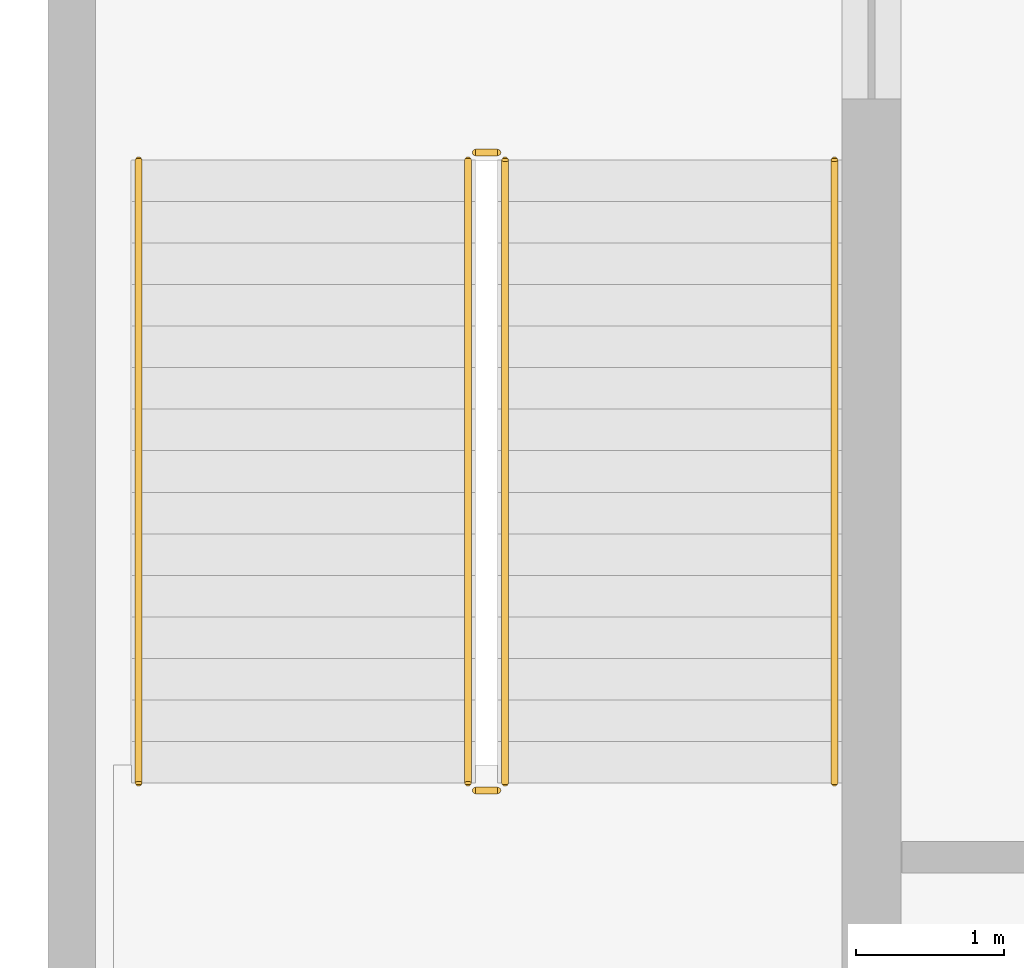
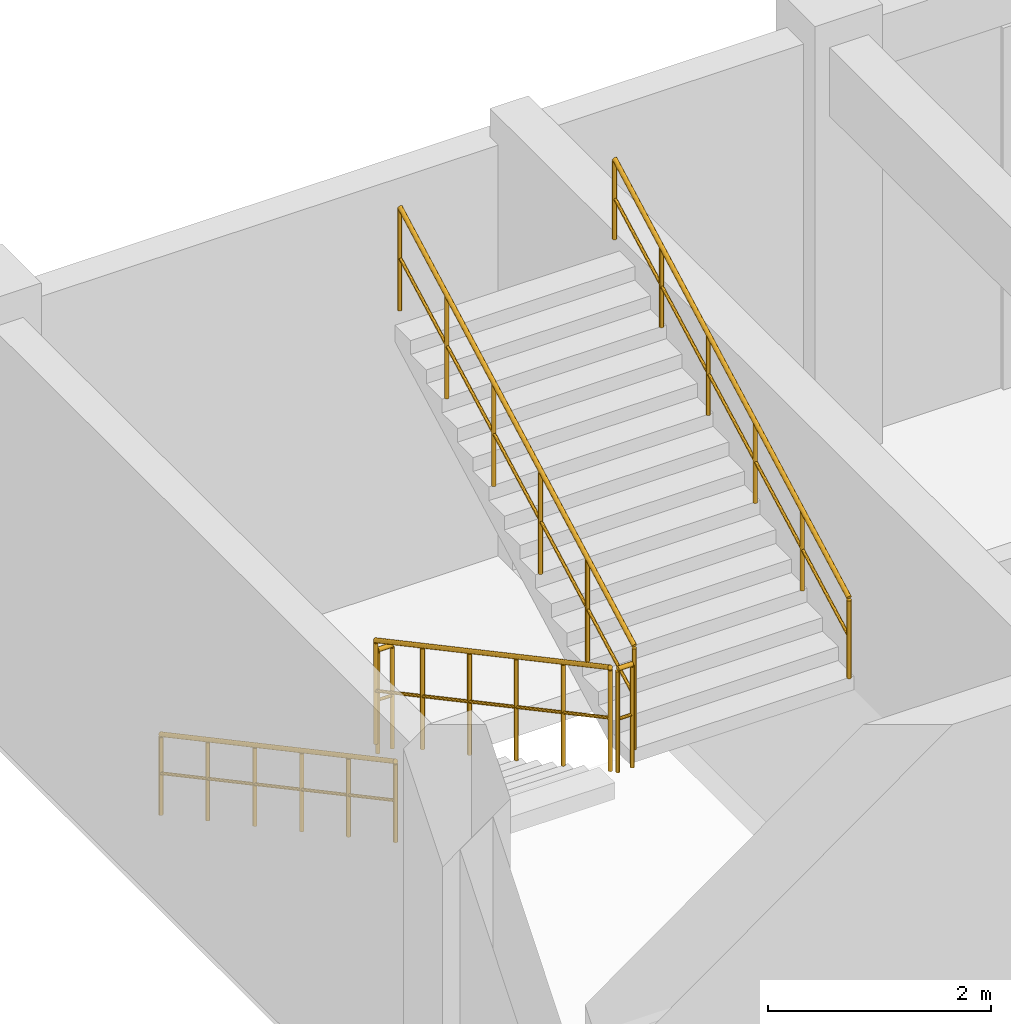
# One storey, part 68 of 76: 6 railings.
"""IFC4 building model written with IfcOpenShell, lengths in metres."""

from ifc_helpers import new_model, si_unit, derived_unit, direction, frame, origin, origin_2d, place, context, subcontext, project, spatial, circle, extrude, material, type_object, element, save


model = new_model("IFC4")

# Units and contexts
model_context = context("Model", 3, precision=1e-05, world=origin(), true_north=direction((0.0, 1.0)))
body_context = subcontext(model_context, "Body", "Model", "MODEL_VIEW")
ifc_project = project(units=[si_unit("LENGTHUNIT", "METRE"), si_unit("AREAUNIT", "SQUARE_METRE"), si_unit("VOLUMEUNIT", "CUBIC_METRE"), si_unit("PLANEANGLEUNIT", "RADIAN"), si_unit("MASSUNIT", "GRAM", prefix="KILO"), derived_unit("THERMALTRANSMITTANCEUNIT", [(si_unit("MASSUNIT", "GRAM", prefix="KILO"), 1), (si_unit("TIMEUNIT", "SECOND"), -3), (si_unit("THERMODYNAMICTEMPERATUREUNIT", "KELVIN"), -1)])], contexts=[model_context])

# Site, building, storey
site_placement = place(None, origin())
site = spatial("IfcSite", under=ifc_project, at=site_placement, CompositionType="ELEMENT")
building_placement = place(site_placement, origin())
building = spatial("IfcBuilding", under=site, at=building_placement, Name="Qinzheling Arcade Emporium", CompositionType="ELEMENT")
storey_placement = place(building_placement, frame((0.0, 0.0, 26.699951171875)))
storey = spatial("IfcBuildingStorey", under=building, at=storey_placement, Name="L06", CompositionType="ELEMENT", Elevation=26.699951171875)

# Railings
ifc_material_1 = material(Name="Galvanised powder-coated tubular steel", Category="steel")
railing_type_1 = type_object("IfcRailingType", Name="Painted Steel Stairwell Guard Railing 1150", PredefinedType="GUARDRAIL", material=ifc_material_1)
railing_1_placement = place(storey_placement, frame((2.669921875, 39.679931640625, 0.150146484375)))
element("IfcRailing", 1, at=railing_1_placement, inside=storey, type_object=railing_type_1, Name="L06 ST02 stair guard 1", PredefinedType="GUARDRAIL", context=body_context, shape_type="SweptSolid", body=[
    extrude(circle(Radius=0.02392578125, at=origin_2d()), frame((0.0, 0.0, 1.1259765625), z_axis=(0.0, -0.881477684796, 0.472225678258), x_axis=(1.0, 0.0, 0.0)), (0.0, 0.0, 1.0), 4.7646484375),
    extrude(circle(Radius=0.01611328125, at=origin_2d()), frame((0.0, 0.0, 0.574951171875), z_axis=(0.0, -0.881477684796, 0.472225678258), x_axis=(1.0, 0.0, 0.0)), (0.0, 0.0, 1.0), 4.7646484375),
    extrude(circle(Radius=0.02099609375, at=origin_2d()), origin(), (0.0, 0.0, 1.0), 1.101806640625),
    extrude(circle(Radius=0.02099609375, at=origin_2d()), frame((0.0, -0.840087890625, 0.449951171875)), (0.0, 0.0, 1.0), 1.101806640625),
    extrude(circle(Radius=0.02099609375, at=origin_2d()), frame((0.0, -1.679931640625, 0.89990234375)), (0.0, 0.0, 1.0), 1.101806640625),
    extrude(circle(Radius=0.02099609375, at=origin_2d()), frame((0.0, -2.52001953125, 1.35009765625)), (0.0, 0.0, 1.0), 1.101806640625),
    extrude(circle(Radius=0.02099609375, at=origin_2d()), frame((0.0, -3.35986328125, 1.800048828125)), (0.0, 0.0, 1.0), 1.101806640625),
    extrude(circle(Radius=0.02099609375, at=origin_2d()), frame((0.0, -4.199951171875, 2.25)), (0.0, 0.0, 1.0), 1.101806640625),
])
railing_2_placement = place(storey_placement, frame((2.719970703125, 35.429931640625, 2.400146484375)))
element("IfcRailing", 2, at=railing_2_placement, inside=storey, type_object=railing_type_1, Name="L06 ST02 stair guard 2", PredefinedType="GUARDRAIL", context=body_context, shape_type="SweptSolid", body=[
    extrude(circle(Radius=0.02392578125, at=origin_2d()), frame((0.0, 0.0, 1.1259765625), z_axis=(1.0, 0.0, 0.0), x_axis=(0.0, 1.0, 0.0)), (0.0, 0.0, 1.0), 0.150146484375),
    extrude(circle(Radius=0.01611328125, at=origin_2d()), frame((0.0, 0.0, 0.574951171875), z_axis=(1.0, 0.0, 0.0), x_axis=(0.0, 1.0, 0.0)), (0.0, 0.0, 1.0), 0.150146484375),
    extrude(circle(Radius=0.02099609375, at=origin_2d()), origin(), (0.0, 0.0, 1.0), 1.101806640625),
    extrude(circle(Radius=0.02099609375, at=origin_2d()), frame((0.150146484375, 0.0, 0.0)), (0.0, 0.0, 1.0), 1.101806640625),
])
railing_3_placement = place(storey_placement, frame((2.919921875, 35.47998046875, 2.550048828125)))
element("IfcRailing", 3, at=railing_3_placement, inside=storey, type_object=railing_type_1, Name="L06 ST02 stair guard 3", PredefinedType="GUARDRAIL", context=body_context, shape_type="SweptSolid", body=[
    extrude(circle(Radius=0.02392578125, at=origin_2d()), frame((0.0, 0.0, 1.1259765625), z_axis=(0.0, 0.881477684796, 0.472225678258), x_axis=(-1.0, 0.0, 0.0)), (0.0, 0.0, 1.0), 4.7646484375),
    extrude(circle(Radius=0.01611328125, at=origin_2d()), frame((0.0, 0.0, 0.574951171875), z_axis=(0.0, 0.881477684796, 0.472225678258), x_axis=(-1.0, 0.0, 0.0)), (0.0, 0.0, 1.0), 4.7646484375),
    extrude(circle(Radius=0.02099609375, at=origin_2d()), origin(), (0.0, 0.0, 1.0), 1.101806640625),
    extrude(circle(Radius=0.02099609375, at=origin_2d()), frame((0.0, 0.840087890625, 0.449951171875)), (0.0, 0.0, 1.0), 1.101806640625),
    extrude(circle(Radius=0.02099609375, at=origin_2d()), frame((0.0, 1.679931640625, 0.89990234375)), (0.0, 0.0, 1.0), 1.101806640625),
    extrude(circle(Radius=0.02099609375, at=origin_2d()), frame((0.0, 2.52001953125, 1.35009765625)), (0.0, 0.0, 1.0), 1.101806640625),
    extrude(circle(Radius=0.02099609375, at=origin_2d()), frame((0.0, 3.35986328125, 1.800048828125)), (0.0, 0.0, 1.0), 1.101806640625),
    extrude(circle(Radius=0.02099609375, at=origin_2d()), frame((0.0, 4.199951171875, 2.25)), (0.0, 0.0, 1.0), 1.101806640625),
])
railing_4_placement = place(storey_placement, frame((2.719970703125, 39.72998046875, 0.0)))
element("IfcRailing", 4, at=railing_4_placement, inside=storey, type_object=railing_type_1, Name="L06 ST02 stair guard 4", PredefinedType="GUARDRAIL", context=body_context, shape_type="SweptSolid", body=[
    extrude(circle(Radius=0.02392578125, at=origin_2d()), frame((0.0, 0.0, 1.1259765625), z_axis=(1.0, 0.0, 0.0), x_axis=(0.0, 1.0, 0.0)), (0.0, 0.0, 1.0), 0.150146484375),
    extrude(circle(Radius=0.01611328125, at=origin_2d()), frame((0.0, 0.0, 0.574951171875), z_axis=(1.0, 0.0, 0.0), x_axis=(0.0, 1.0, 0.0)), (0.0, 0.0, 1.0), 0.150146484375),
    extrude(circle(Radius=0.02099609375, at=origin_2d()), origin(), (0.0, 0.0, 1.0), 1.101806640625),
    extrude(circle(Radius=0.02099609375, at=origin_2d()), frame((0.150146484375, 0.0, 0.0)), (0.0, 0.0, 1.0), 1.101806640625),
])
ifc_material_2 = material(Name="Brushed stainless steel 304", Category="steel")
railing_type_2 = type_object("IfcRailingType", Name="Stainless Steel Wall Handrail 900", PredefinedType="HANDRAIL", material=ifc_material_2)
railing_5_placement = place(storey_placement, frame((0.449951171875, 39.679931640625, 0.150146484375)))
element("IfcRailing", 5, at=railing_5_placement, inside=storey, type_object=railing_type_2, Name="L06 ST02 stair handrail 1", PredefinedType="HANDRAIL", context=body_context, shape_type="SweptSolid", body=[
    extrude(circle(Radius=0.02392578125, at=origin_2d()), frame((0.0, 0.0, 0.8759765625), z_axis=(0.0, -0.881477684796, 0.472225678258), x_axis=(1.0, 0.0, 0.0)), (0.0, 0.0, 1.0), 4.7646484375),
    extrude(circle(Radius=0.01611328125, at=origin_2d()), frame((0.0, 0.0, 0.449951171875), z_axis=(0.0, -0.881477684796, 0.472225678258), x_axis=(1.0, 0.0, 0.0)), (0.0, 0.0, 1.0), 4.7646484375),
    extrude(circle(Radius=0.02099609375, at=origin_2d()), origin(), (0.0, 0.0, 1.0), 0.851806640625),
    extrude(circle(Radius=0.02099609375, at=origin_2d()), frame((0.0, -0.840087890625, 0.449951171875)), (0.0, 0.0, 1.0), 0.851806640625),
    extrude(circle(Radius=0.02099609375, at=origin_2d()), frame((0.0, -1.679931640625, 0.89990234375)), (0.0, 0.0, 1.0), 0.851806640625),
    extrude(circle(Radius=0.02099609375, at=origin_2d()), frame((0.0, -2.52001953125, 1.35009765625)), (0.0, 0.0, 1.0), 0.851806640625),
    extrude(circle(Radius=0.02099609375, at=origin_2d()), frame((0.0, -3.35986328125, 1.800048828125)), (0.0, 0.0, 1.0), 0.851806640625),
    extrude(circle(Radius=0.02099609375, at=origin_2d()), frame((0.0, -4.199951171875, 2.25)), (0.0, 0.0, 1.0), 0.851806640625),
])
railing_6_placement = place(storey_placement, frame((5.139892578125, 35.47998046875, 2.550048828125)))
element("IfcRailing", 6, at=railing_6_placement, inside=storey, type_object=railing_type_2, Name="L06 ST02 stair handrail 2", PredefinedType="HANDRAIL", context=body_context, shape_type="SweptSolid", body=[
    extrude(circle(Radius=0.02392578125, at=origin_2d()), frame((0.0, 0.0, 0.8759765625), z_axis=(0.0, 0.881477684796, 0.472225678258), x_axis=(-1.0, 0.0, 0.0)), (0.0, 0.0, 1.0), 4.7646484375),
    extrude(circle(Radius=0.01611328125, at=origin_2d()), frame((0.0, 0.0, 0.449951171875), z_axis=(0.0, 0.881477684796, 0.472225678258), x_axis=(-1.0, 0.0, 0.0)), (0.0, 0.0, 1.0), 4.7646484375),
    extrude(circle(Radius=0.02099609375, at=origin_2d()), origin(), (0.0, 0.0, 1.0), 0.851806640625),
    extrude(circle(Radius=0.02099609375, at=origin_2d()), frame((0.0, 0.840087890625, 0.449951171875)), (0.0, 0.0, 1.0), 0.851806640625),
    extrude(circle(Radius=0.02099609375, at=origin_2d()), frame((0.0, 1.679931640625, 0.89990234375)), (0.0, 0.0, 1.0), 0.851806640625),
    extrude(circle(Radius=0.02099609375, at=origin_2d()), frame((0.0, 2.52001953125, 1.35009765625)), (0.0, 0.0, 1.0), 0.851806640625),
    extrude(circle(Radius=0.02099609375, at=origin_2d()), frame((0.0, 3.35986328125, 1.800048828125)), (0.0, 0.0, 1.0), 0.851806640625),
    extrude(circle(Radius=0.02099609375, at=origin_2d()), frame((0.0, 4.199951171875, 2.25)), (0.0, 0.0, 1.0), 0.851806640625),
])

save(model, "model.ifc")
